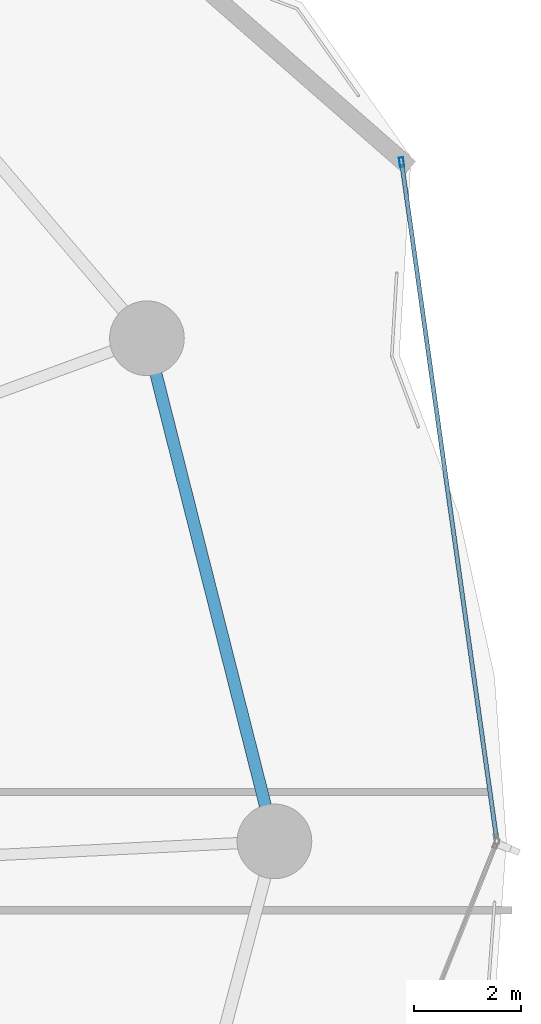
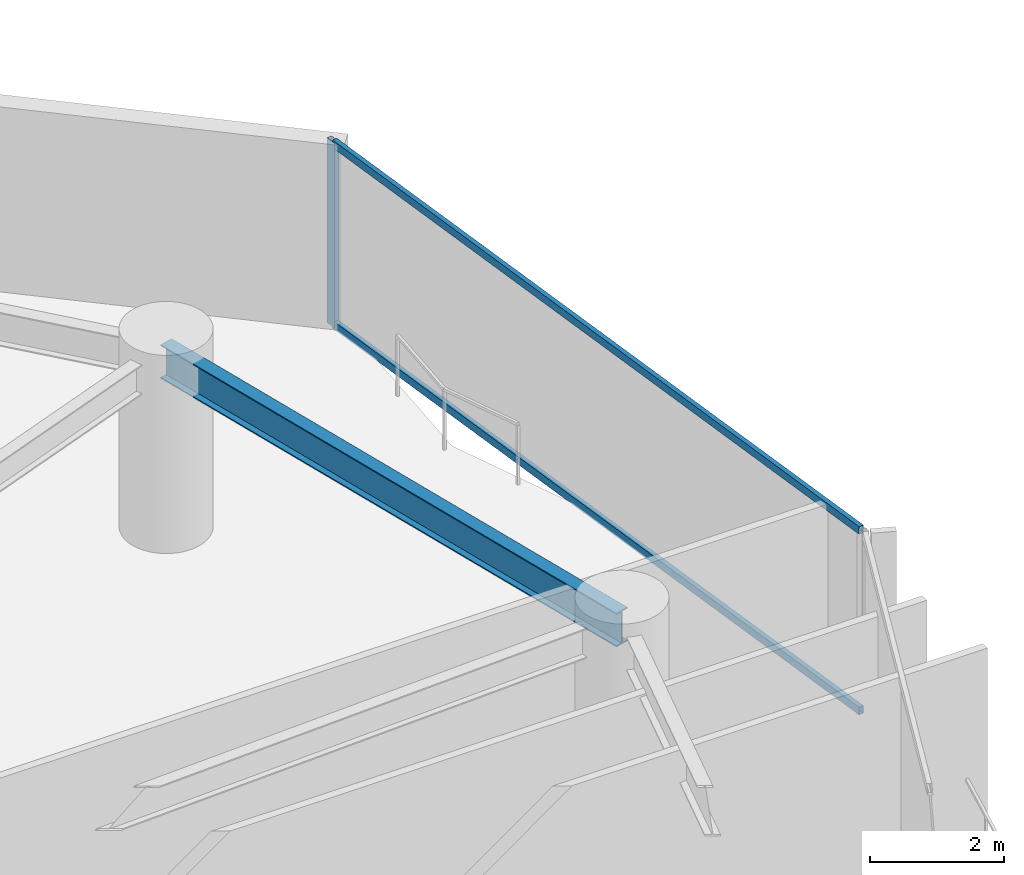
# One storey, part 23 of 32: 3 members, 1 beam, 1 element without a shape of its own.
"""IFC4 building model written with IfcOpenShell, lengths in metres."""

import ifcopenshell
import ifcopenshell.guid

model = None  # the IFC model being written
_history = None  # IfcOwnerHistory: only IFC2X3 demands one
_inside = {}  # id of a spatial element -> (the spatial element, [elements in it])
_under = {}  # id of a project, library or spatial element -> (it, [spatial elements below it])
_declared = {}  # id of a project -> (the project, [libraries it declares])
_typed = {}  # id of a type object -> (the type object, [elements of that type])
_made_of = {}  # id of a material, layer set ... -> (it, [elements and type objects made of it])


def new_model(schema):
    """Start an empty IFC model of exactly this schema.

    Asked for "IFC4X3", IfcOpenShell would pick the latest addendum, in which some entities
    have other attributes; the version numbers below select the first issue.
    IFC2X3 requires an IfcOwnerHistory on every rooted entity: one is made here for all.
    """
    global model, _history
    if schema == "IFC4X3":
        model = ifcopenshell.file(schema_version=(4, 3, 0, 0))
    else:
        model = ifcopenshell.file(schema=schema)
    _inside.clear()
    _under.clear()
    _declared.clear()
    _typed.clear()
    _made_of.clear()
    _history = None
    if model.schema == "IFC2X3":
        org = make("IfcOrganization", Name="unknown")
        user = make(
            "IfcPersonAndOrganization",
            ThePerson=make("IfcPerson", FamilyName="unknown"),
            TheOrganization=org,
        )
        app = make(
            "IfcApplication",
            ApplicationDeveloper=org,
            Version="unknown",
            ApplicationFullName="unknown",
            ApplicationIdentifier="unknown",
        )
        _history = make(
            "IfcOwnerHistory",
            OwningUser=user,
            OwningApplication=app,
            ChangeAction="ADDED",
            CreationDate=0,
        )
    return model


def make(cls, **values):
    """One entity of the class cls with the attributes given. An attribute that is None is left unset."""
    return model.create_entity(
        cls, **{name: value for name, value in values.items() if value is not None}
    )


def rooted(cls, **values):
    """An entity with a GlobalId (a new one), such as an element, a storey or a relation."""
    return make(cls, GlobalId=ifcopenshell.guid.new(), OwnerHistory=_history, **values)


def si_unit(unit_type, name, prefix=None):
    """IfcSIUnit, for example si_unit("LENGTHUNIT", "METRE", prefix="MILLI")."""
    return make("IfcSIUnit", UnitType=unit_type, Prefix=prefix, Name=name)


def assignment(units):
    """IfcUnitAssignment: the units of a project."""
    return None if units is None else make("IfcUnitAssignment", Units=units)


def point(xyz):
    """IfcCartesianPoint."""
    return None if xyz is None else make("IfcCartesianPoint", Coordinates=xyz)


def direction(xyz):
    """IfcDirection."""
    return None if xyz is None else make("IfcDirection", DirectionRatios=xyz)


def frame(location, z_axis=None, x_axis=None):
    """IfcAxis2Placement3D, a coordinate frame: its origin and axes. An axis left out is left unset."""
    return make(
        "IfcAxis2Placement3D",
        Location=point(location),
        Axis=direction(z_axis),
        RefDirection=direction(x_axis),
    )


def frame_2d(location, x_axis=None):
    """IfcAxis2Placement2D, a coordinate frame in the plane: its origin and x axis."""
    return make(
        "IfcAxis2Placement2D", Location=point(location), RefDirection=direction(x_axis)
    )


def origin():
    """The frame at (0, 0, 0) with its axes left unset."""
    return frame((0.0, 0.0, 0.0))


def origin_2d():
    """The frame at (0, 0) in the plane with its x axis left unset."""
    return frame_2d((0.0, 0.0))


def place(relative_to, where):
    """IfcLocalPlacement: puts the frame where relative to a parent placement (None: the world)."""
    return make(
        "IfcLocalPlacement", PlacementRelTo=relative_to, RelativePlacement=where
    )


def context(
    kind, dimensions, precision=None, world=None, true_north=None, identifier=None
):
    """IfcGeometricRepresentationContext, for example the 3D "Model" context."""
    return make(
        "IfcGeometricRepresentationContext",
        ContextIdentifier=identifier,
        ContextType=kind,
        CoordinateSpaceDimension=dimensions,
        Precision=precision,
        WorldCoordinateSystem=world,
        TrueNorth=true_north,
    )


def subcontext(parent, identifier, kind, view, scale=None):
    """IfcGeometricRepresentationSubContext, for example "Body" below "Model"."""
    return make(
        "IfcGeometricRepresentationSubContext",
        ContextIdentifier=identifier,
        ContextType=kind,
        ParentContext=parent,
        TargetScale=scale,
        TargetView=view,
    )


def project(units=None, contexts=None):
    """IfcProject with its units and contexts."""
    return rooted(
        "IfcProject",
        Name="project",
        RepresentationContexts=contexts,
        UnitsInContext=assignment(units),
    )


def spatial(cls, under=None, at=None, **own):
    """A site, building, storey or space (cls), placed at a placement, below another one or the project."""
    s = rooted(cls, ObjectPlacement=at, **own)
    if under is not None:
        _under.setdefault(under.id(), (under, []))[1].append(s)
    return s


def profile(cls, at=None, kind="AREA", **sizes):
    """A parametric profile (cls). Its sizes go by their IFC names, for example OverallWidth=200.0."""
    return make(cls, ProfileType=kind, Position=at, **sizes)


def hollow_rectangle(**sizes):
    """IfcRectangleHollowProfileDef."""
    return profile("IfcRectangleHollowProfileDef", **sizes)


def i_section(**sizes):
    """IfcIShapeProfileDef."""
    return profile("IfcIShapeProfileDef", **sizes)


def extrude(swept, where, along, depth):
    """IfcExtrudedAreaSolid: the profile swept, set in the frame where, extruded along a direction by depth."""
    return make(
        "IfcExtrudedAreaSolid",
        SweptArea=swept,
        Position=where,
        ExtrudedDirection=direction(along),
        Depth=depth,
    )


def shape(context_of_items, identifier, shape_type, items):
    """IfcShapeRepresentation: the items that make up one representation, for example the "Body"."""
    return make(
        "IfcShapeRepresentation",
        ContextOfItems=context_of_items,
        RepresentationIdentifier=identifier,
        RepresentationType=shape_type,
        Items=items,
    )


def material(Name=None, Category=None):
    """IfcMaterial."""
    return make("IfcMaterial", Name=Name, Category=Category)


def layer(
    of_material, thickness, ventilated=None, Name=None, Category=None, Priority=None
):
    """IfcMaterialLayer: one layer of a wall or slab, of a material (None: an air gap)."""
    return make(
        "IfcMaterialLayer",
        Material=of_material,
        LayerThickness=thickness,
        IsVentilated=ventilated,
        Name=Name,
        Category=Category,
        Priority=Priority,
    )


def layer_set(layers, Name=None):
    """IfcMaterialLayerSet."""
    return make("IfcMaterialLayerSet", MaterialLayers=layers, LayerSetName=Name)


def material_profile(
    of_material, cross_section, Name=None, Category=None, Priority=None
):
    """IfcMaterialProfile: a cross section and its material."""
    return make(
        "IfcMaterialProfile",
        Name=Name,
        Material=of_material,
        Profile=cross_section,
        Priority=Priority,
        Category=Category,
    )


def profile_set(profiles, Name=None, composite=None):
    """IfcMaterialProfileSet."""
    return make(
        "IfcMaterialProfileSet",
        Name=Name,
        MaterialProfiles=profiles,
        CompositeProfile=composite,
    )


def made_of(thing, what):
    """Note that an element or type object is made of a material, layer set ...; save() writes the relation."""
    if what is not None:
        _made_of.setdefault(what.id(), (what, []))[1].append(thing)
    return thing


def type_object(cls, material=None, **own):
    """A type object (cls), such as IfcWallType, which elements share."""
    return made_of(rooted(cls, **own), material)


def element(
    cls,
    number,
    at=None,
    inside=None,
    cuts=None,
    type_object=None,
    material=None,
    context=None,
    identifier="Body",
    shape_type=None,
    held_by="IfcProductDefinitionShape",
    body=None,
    shapes=None,
    **own,
):
    """One element of the class cls, such as IfcWall. Its Tag is "e" and its number.

    at: its placement. inside: the storey or other place that contains it. cuts: it is an
    opening in that element (IfcRelVoidsElement). A single representation is given by context,
    identifier, shape_type and body (its items); several are given by shapes. held_by: the class
    of the entity that holds the representations. save() writes the other relations.
    """
    e = rooted(cls, Tag="e%d" % number, ObjectPlacement=at, **own)
    if body is not None:
        shapes = [shape(context, identifier, shape_type, body)]
    if shapes is not None:
        e.Representation = make(held_by, Representations=shapes)
    if inside is not None:
        _inside.setdefault(inside.id(), (inside, []))[1].append(e)
    if cuts is not None:
        rooted(
            "IfcRelVoidsElement", RelatingBuildingElement=cuts, RelatedOpeningElement=e
        )
    if type_object is not None:
        _typed.setdefault(type_object.id(), (type_object, []))[1].append(e)
    return made_of(e, material)


def aggregate(whole, parts):
    """IfcRelAggregates: a whole, such as a stair, and the parts it consists of."""
    return rooted("IfcRelAggregates", RelatingObject=whole, RelatedObjects=parts)


def save(model, path):
    """Write the relations noted so far, then the file.

    IfcRelAggregates (storeys below a building ...), IfcRelContainedInSpatialStructure (elements
    in a storey), IfcRelDefinesByType, IfcRelAssociatesMaterial and IfcRelDeclares: one each for
    every whole, place, type object, material and project.
    """
    for whole, parts in _under.values():
        aggregate(whole, parts)
    for where, things in _inside.values():
        rooted(
            "IfcRelContainedInSpatialStructure",
            RelatedElements=things,
            RelatingStructure=where,
        )
    for kind, things in _typed.values():
        rooted("IfcRelDefinesByType", RelatedObjects=things, RelatingType=kind)
    for what, things in _made_of.values():
        rooted("IfcRelAssociatesMaterial", RelatedObjects=things, RelatingMaterial=what)
    for by, libraries in _declared.values():
        rooted("IfcRelDeclares", RelatingContext=by, RelatedDefinitions=libraries)
    model.write(path)


model = new_model("IFC4")

# Units and contexts
model_context = context("Model", 3, precision=1e-05, world=origin(), true_north=direction((0.0, 1.0)))
body_context = subcontext(model_context, "Body", "Model", "MODEL_VIEW")
ifc_project = project(units=[si_unit("LENGTHUNIT", "METRE"), si_unit("AREAUNIT", "SQUARE_METRE"), si_unit("VOLUMEUNIT", "CUBIC_METRE"), si_unit("PLANEANGLEUNIT", "RADIAN"), si_unit("MASSUNIT", "GRAM", prefix="KILO")], contexts=[model_context])

# Site, building, storey
site_placement = place(None, origin())
site = spatial("IfcSite", under=ifc_project, at=site_placement, CompositionType="ELEMENT")
building_placement = place(site_placement, origin())
building = spatial("IfcBuilding", under=site, at=building_placement, Name="Kazevale Care Tower and Concert Hall", CompositionType="ELEMENT")
storey_placement = place(building_placement, frame((0.0, 0.0, 34.800048828125)))
storey = spatial("IfcBuildingStorey", under=building, at=storey_placement, Name="L08", CompositionType="ELEMENT", Elevation=34.800048828125)

# Curtain wall, members
ifc_material_1 = material(Name="Aluminium 6063-T6 and Low-E Glass", Category="aluminium")
ifc_layer = layer(ifc_material_1, 0.179931640625)
ifc_layer_set = layer_set([ifc_layer], Name="Aluminium 6063-T6 and Low-E Glass")
curtain_wall_type = type_object("IfcCurtainWallType", Name="Waist & Upper Residential Curtain Wall CW-4", PredefinedType="NOTDEFINED", material=ifc_layer_set)
curtain_wall_placement = place(storey_placement, origin())
curtain_wall = element("IfcCurtainWall", 1, at=curtain_wall_placement, inside=storey, type_object=curtain_wall_type, Name="cw:L08:f18", PredefinedType="NOTDEFINED")
ifc_material_2 = material(Name="Aluminium 6063-T6", Category="aluminium")
ifc_material_profile_1 = material_profile(ifc_material_2, hollow_rectangle(XDim=0.080078125, YDim=0.179931640625, WallThickness=0.0048828125, at=origin_2d()), Name="ALU80x180x5")
ifc_profile_set_1 = profile_set([ifc_material_profile_1], Name="Aluminium 6063-T6")
member_type_1 = type_object("IfcMemberType", Name="CW-4 Mullion ALU80x180x5", PredefinedType="MULLION", material=ifc_profile_set_1)
member_1_placement = place(storey_placement, frame((78.83349609375, 50.7294921875, 0.0), z_axis=(0.0, 0.0, 1.0), x_axis=(0.990295475282, 0.138977953775, 0.0)))
member_1 = element("IfcMember", 2, at=member_1_placement, type_object=member_type_1, Name="CW-4 mullion 1", PredefinedType="MULLION", context=body_context, shape_type="SweptSolid", body=[
    extrude(hollow_rectangle(XDim=0.080078125, YDim=0.179931640625, WallThickness=0.0048828125, at=origin_2d()), origin(), (0.0, 0.0, 1.0), 3.35986328125),
])
ifc_material_profile_2 = material_profile(ifc_material_2, hollow_rectangle(XDim=0.080078125, YDim=0.139892578125, WallThickness=0.00390625, at=origin_2d()), Name="ALU80x140x4")
ifc_profile_set_2 = profile_set([ifc_material_profile_2], Name="Aluminium 6063-T6")
member_type_2 = type_object("IfcMemberType", Name="CW-4 Transom ALU80x140x4", PredefinedType="USERDEFINED", material=ifc_profile_set_2)
member_2_placement = place(storey_placement, frame((78.839111328125, 50.689697265625, 0.0400390625), z_axis=(0.138981041567, -0.990295041937, 0.0), x_axis=(0.990295041937, 0.138981041567, 0.0)))
member_2 = element("IfcMember", 3, at=member_2_placement, type_object=member_type_2, Name="CW-4 transom 1.1", ObjectType="TRANSOM", PredefinedType="USERDEFINED", context=body_context, shape_type="SweptSolid", body=[
    extrude(hollow_rectangle(XDim=0.080078125, YDim=0.139892578125, WallThickness=0.00390625, at=origin_2d()), origin(), (0.0, 0.0, 1.0), 12.73388671875),
])
member_3_placement = place(storey_placement, frame((78.839111328125, 50.689697265625, 3.320068359375), z_axis=(0.138981041567, -0.990295041937, 0.0), x_axis=(0.990295041937, 0.138981041567, 0.0)))
member_3 = element("IfcMember", 4, at=member_3_placement, type_object=member_type_2, Name="CW-4 transom 1.2", ObjectType="TRANSOM", PredefinedType="USERDEFINED", context=body_context, shape_type="SweptSolid", body=[
    extrude(hollow_rectangle(XDim=0.080078125, YDim=0.139892578125, WallThickness=0.00390625, at=origin_2d()), origin(), (0.0, 0.0, 1.0), 12.73388671875),
])
aggregate(curtain_wall, [member_1, member_2, member_3])

# Beam
ifc_material_3 = material(Name="Steel ASTM A572 Gr 50", Category="steel")
ifc_material_profile_3 = material_profile(ifc_material_3, i_section(OverallWidth=0.22900390625, OverallDepth=0.612060546875, WebThickness=0.011962890625, FlangeThickness=0.01953125, at=origin_2d()), Name="W610x125")
ifc_profile_set_3 = profile_set([ifc_material_profile_3], Name="Steel ASTM A572 Gr 50")
beam_type = type_object("IfcBeamType", Name="Ring Spandrel Beam W610x125", PredefinedType="SPANDREL", material=ifc_profile_set_3)
beam_placement = place(storey_placement, frame((76.449951171875, 38.0, 3.053955078125), z_axis=(-0.245669948409, 0.969353535326, 0.0), x_axis=(-0.969353535326, -0.245669948409, 0.0)))
element("IfcBeam", 5, at=beam_placement, inside=storey, type_object=beam_type, Name="beam:L08:ring:01", PredefinedType="SPANDREL", context=body_context, shape_type="SweptSolid", body=[
    extrude(i_section(OverallWidth=0.22900390625, OverallDepth=0.612060546875, WebThickness=0.011962890625, FlangeThickness=0.01953125, at=origin_2d()), origin(), (0.0, 0.0, 1.0), 9.72802734375),
])

save(model, "model.ifc")
